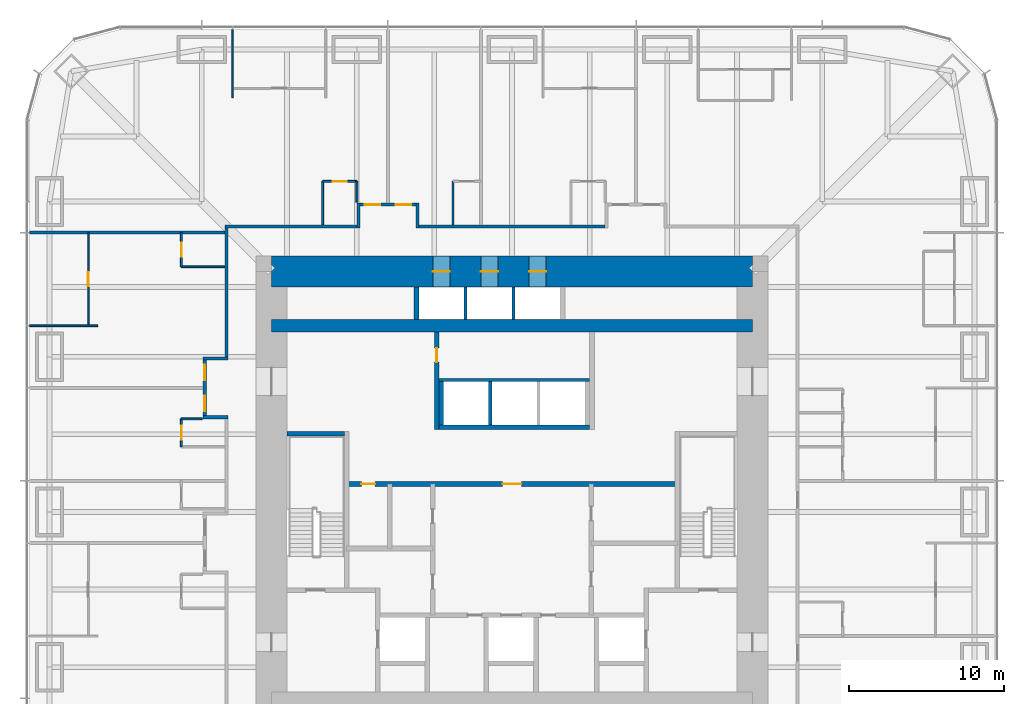
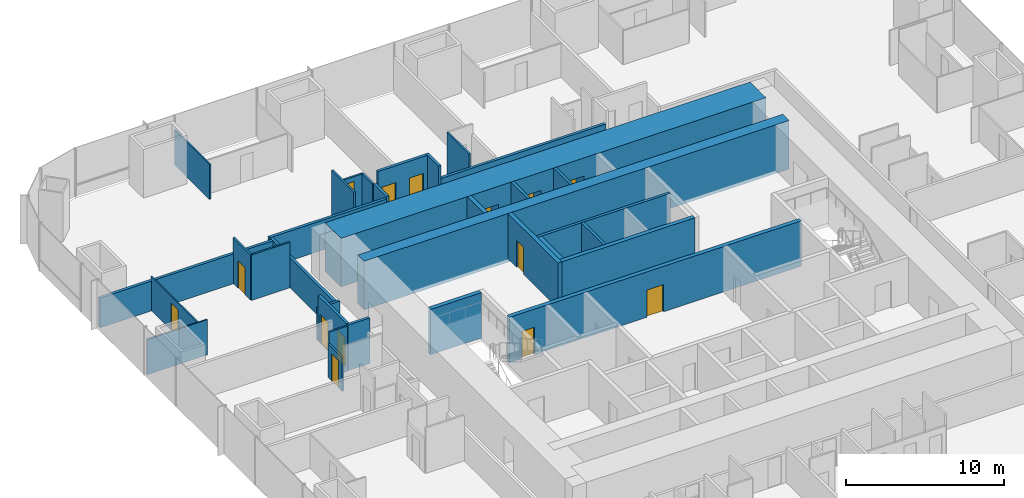
# One storey, part 14 of 17: 33 walls, 14 doors, 14 openings.
"""IFC4 building model written with IfcOpenShell, lengths in metres."""

from ifc_helpers import new_model, si_unit, direction, frame, frame_2d, origin, place, context, subcontext, project, spatial, rectangle, extrude, material, layer, layer_set, type_object, element, fill, save


model = new_model("IFC4")

# Units and contexts
model_context = context("Model", 3, precision=1e-05, world=origin(), true_north=direction((0.0, 1.0)))
body_context = subcontext(model_context, "Body", "Model", "MODEL_VIEW")
ifc_project = project(units=[si_unit("LENGTHUNIT", "METRE"), si_unit("AREAUNIT", "SQUARE_METRE"), si_unit("VOLUMEUNIT", "CUBIC_METRE"), si_unit("PLANEANGLEUNIT", "RADIAN"), si_unit("MASSUNIT", "GRAM", prefix="KILO")], contexts=[model_context])

# Site, building, storey
site_placement = place(None, origin())
site = spatial("IfcSite", under=ifc_project, at=site_placement, CompositionType="ELEMENT")
building_placement = place(site_placement, origin())
building = spatial("IfcBuilding", under=site, at=building_placement, Name="Khuree Lantern Residences", CompositionType="ELEMENT")
storey_placement = place(building_placement, frame((0.0, 0.0, 73.5)))
storey = spatial("IfcBuildingStorey", under=building, at=storey_placement, Name="L18", CompositionType="ELEMENT", Elevation=73.5)

# Wall
ifc_material_1 = material(Name="Moisture-resistant gypsum board on steel studs", Category="steel")
ifc_layer_1 = layer(ifc_material_1, 0.125)
ifc_layer_set_1 = layer_set([ifc_layer_1], Name="BATHROOM WALL BTW125")
wall_type_1 = type_object("IfcWallType", Name="BATHROOM WALL BTW125", PredefinedType="PARTITIONING", material=ifc_layer_set_1)
wall_1_placement = place(storey_placement, frame((-3.800048828125, 18.5, 0.0), z_axis=(0.0, 0.0, 1.0), x_axis=(0.0, 1.0, 0.0)))
element("IfcWall", 1, at=wall_1_placement, inside=storey, type_object=wall_type_1, Name="L18 BATHROOM WALL 04", PredefinedType="PARTITIONING", context=body_context, shape_type="SweptSolid", body=[
    extrude(rectangle(XDim=2.800048828125, YDim=0.125, at=frame_2d((1.39990234375, 0.0))), origin(), (0.0, 0.0, 1.0), 3.5),
])

# Wall, opening, door
wall_2_placement = place(storey_placement, frame((-10.0, 21.300048828125, 0.0), z_axis=(0.0, 0.0, 1.0), x_axis=(-1.0, 0.0, 0.0)))
wall_2 = element("IfcWall", 2, at=wall_2_placement, inside=storey, type_object=wall_type_1, Name="L18 BATHROOM WALL 05", PredefinedType="PARTITIONING", context=body_context, shape_type="SweptSolid", body=[
    extrude(rectangle(XDim=2.199951171875, YDim=0.125, at=frame_2d((1.10009765625, 0.0))), origin(), (0.0, 0.0, 1.0), 2.491943359375),
])
opening_1_placement = place(wall_2_placement, frame((0.64990234375, 0.0, 0.0)))
opening_1 = element("IfcOpeningElement", 3, at=opening_1_placement, cuts=wall_2, Name="Opening 18-040", PredefinedType="OPENING", context=body_context, shape_type="SweptSolid", body=[
    extrude(rectangle(XDim=0.89990234375, YDim=2.10009765625, at=frame_2d((0.449951171875, 1.050048828125))), frame((0.0, 0.072509765625, 0.0), z_axis=(0.0, -1.0, 0.0), x_axis=(1.0, 0.0, 0.0)), (0.0, 0.0, 1.0), 0.14501953125),
])
ifc_material_2 = material(Name="Timber door leaf in hardwood frame", Category="wood")
door_type_1 = type_object("IfcDoorType", Name="BATHROOM DOOR 900X2100", OperationType="SINGLE_SWING_LEFT", PredefinedType="DOOR", material=ifc_material_2)
door_1_placement = place(opening_1_placement, origin())
door_1 = element("IfcDoor", 4, at=door_1_placement, inside=storey, type_object=door_type_1, Name="Bathroom door 18-040", OperationType="SINGLE_SWING_LEFT", OverallHeight=2.10009765625, OverallWidth=0.89990234375, PredefinedType="DOOR", context=body_context, shape_type="SweptSolid", body=[
    extrude(rectangle(XDim=0.89990234375, YDim=2.10009765625, at=frame_2d((0.449951171875, 1.050048828125))), frame((0.0, 0.02490234375, 0.0), z_axis=(0.0, -1.0, 0.0), x_axis=(1.0, 0.0, 0.0)), (0.0, 0.0, 1.0), 0.050048828125),
])
fill(opening_1, door_1)

# Walls
wall_3_placement = place(storey_placement, frame((-10.0, 19.969970703125, 0.0), z_axis=(0.0, 0.0, 1.0), x_axis=(0.0, 1.0, 0.0)))
element("IfcWall", 5, at=wall_3_placement, inside=storey, type_object=wall_type_1, Name="L18 BATHROOM WALL 05", PredefinedType="PARTITIONING", context=body_context, shape_type="SweptSolid", body=[
    extrude(rectangle(XDim=1.330078125, YDim=0.125, at=frame_2d((0.6650390625, 0.0))), origin(), (0.0, 0.0, 1.0), 2.491943359375),
])
wall_4_placement = place(storey_placement, frame((-12.199951171875, 18.5, 0.0), z_axis=(0.0, 0.0, 1.0), x_axis=(0.0, 1.0, 0.0)))
element("IfcWall", 6, at=wall_4_placement, inside=storey, type_object=wall_type_1, Name="L18 BATHROOM WALL 05", PredefinedType="PARTITIONING", context=body_context, shape_type="SweptSolid", body=[
    extrude(rectangle(XDim=2.800048828125, YDim=0.125, at=frame_2d((1.39990234375, 0.0))), origin(), (0.0, 0.0, 1.0), 3.5),
])

# Wall, opening, door
wall_5_placement = place(storey_placement, frame((-21.300048828125, 18.0, 0.0), z_axis=(0.0, 0.0, 1.0), x_axis=(0.0, -1.0, 0.0)))
wall_5 = element("IfcWall", 7, at=wall_5_placement, inside=storey, type_object=wall_type_1, Name="L18 BATHROOM WALL 06", PredefinedType="PARTITIONING", context=body_context, shape_type="SweptSolid", body=[
    extrude(rectangle(XDim=2.199951171875, YDim=0.125, at=frame_2d((1.10009765625, 0.0))), origin(), (0.0, 0.0, 1.0), 3.5),
])
opening_2_placement = place(wall_5_placement, frame((0.64990234375, 0.0, 0.0)))
opening_2 = element("IfcOpeningElement", 8, at=opening_2_placement, cuts=wall_5, Name="Opening 18-043", PredefinedType="OPENING", context=body_context, shape_type="SweptSolid", body=[
    extrude(rectangle(XDim=0.89990234375, YDim=2.10009765625, at=frame_2d((0.449951171875, 1.050048828125))), frame((0.0, 0.072509765625, 0.0), z_axis=(0.0, -1.0, 0.0), x_axis=(1.0, 0.0, 0.0)), (0.0, 0.0, 1.0), 0.14501953125),
])
door_2_placement = place(opening_2_placement, origin())
door_2 = element("IfcDoor", 9, at=door_2_placement, inside=storey, type_object=door_type_1, Name="Bathroom door 18-043", OperationType="SINGLE_SWING_LEFT", OverallHeight=2.10009765625, OverallWidth=0.89990234375, PredefinedType="DOOR", context=body_context, shape_type="SweptSolid", body=[
    extrude(rectangle(XDim=0.89990234375, YDim=2.10009765625, at=frame_2d((0.449951171875, 1.050048828125))), frame((0.0, 0.02490234375, 0.0), z_axis=(0.0, -1.0, 0.0), x_axis=(1.0, 0.0, 0.0)), (0.0, 0.0, 1.0), 0.050048828125),
])
fill(opening_2, door_2)

# Wall
wall_6_placement = place(storey_placement, frame((-18.5, 15.800048828125, 0.0), z_axis=(0.0, 0.0, 1.0), x_axis=(-1.0, 0.0, 0.0)))
element("IfcWall", 10, at=wall_6_placement, inside=storey, type_object=wall_type_1, Name="L18 BATHROOM WALL 06", PredefinedType="PARTITIONING", context=body_context, shape_type="SweptSolid", body=[
    extrude(rectangle(XDim=2.800048828125, YDim=0.125, at=frame_2d((1.39990234375, 0.0))), origin(), (0.0, 0.0, 1.0), 3.5),
])

# Wall, opening, door
wall_7_placement = place(storey_placement, frame((-21.300048828125, 6.0, 0.0), z_axis=(0.0, 0.0, 1.0), x_axis=(0.0, -1.0, 0.0)))
wall_7 = element("IfcWall", 11, at=wall_7_placement, inside=storey, type_object=wall_type_1, Name="L18 BATHROOM WALL 07", PredefinedType="PARTITIONING", context=body_context, shape_type="SweptSolid", body=[
    extrude(rectangle(XDim=1.800048828125, YDim=0.125, at=frame_2d((0.89990234375, 0.0))), origin(), (0.0, 0.0, 1.0), 2.610107421875),
])
opening_3_placement = place(wall_7_placement, frame((0.449951171875, 0.0, 0.0)))
opening_3 = element("IfcOpeningElement", 12, at=opening_3_placement, cuts=wall_7, Name="Opening 18-045", PredefinedType="OPENING", context=body_context, shape_type="SweptSolid", body=[
    extrude(rectangle(XDim=0.89990234375, YDim=2.10009765625, at=frame_2d((0.449951171875, 1.050048828125))), frame((0.0, 0.072509765625, 0.0), z_axis=(0.0, -1.0, 0.0), x_axis=(1.0, 0.0, 0.0)), (0.0, 0.0, 1.0), 0.14501953125),
])
door_3_placement = place(opening_3_placement, origin())
door_3 = element("IfcDoor", 13, at=door_3_placement, inside=storey, type_object=door_type_1, Name="Bathroom door 18-045", OperationType="SINGLE_SWING_LEFT", OverallHeight=2.10009765625, OverallWidth=0.89990234375, PredefinedType="DOOR", context=body_context, shape_type="SweptSolid", body=[
    extrude(rectangle(XDim=0.89990234375, YDim=2.10009765625, at=frame_2d((0.449951171875, 1.050048828125))), frame((0.0, 0.02490234375, 0.0), z_axis=(0.0, -1.0, 0.0), x_axis=(1.0, 0.0, 0.0)), (0.0, 0.0, 1.0), 0.050048828125),
])
fill(opening_3, door_3)

# Walls
wall_8_placement = place(storey_placement, frame((-19.969970703125, 6.0, 0.0), z_axis=(0.0, 0.0, 1.0), x_axis=(-1.0, 0.0, 0.0)))
element("IfcWall", 14, at=wall_8_placement, inside=storey, type_object=wall_type_1, Name="L18 BATHROOM WALL 07", PredefinedType="PARTITIONING", context=body_context, shape_type="SweptSolid", body=[
    extrude(rectangle(XDim=1.330078125, YDim=0.125, at=frame_2d((0.6650390625, 0.0))), origin(), (0.0, 0.0, 1.0), 3.5),
])
ifc_material_3 = material(Name="Dense concrete blockwork", Category="masonry")
ifc_layer_2 = layer(ifc_material_3, 0.300048828125)
ifc_layer_set_2 = layer_set([ifc_layer_2], Name="CORE PARTITION WALL CPW300 EI 120")
wall_type_2 = type_object("IfcWallType", Name="CORE PARTITION WALL CPW300 EI 120", PredefinedType="PARTITIONING", material=ifc_layer_set_2)
wall_9_placement = place(storey_placement, frame((-4.699951171875, 5.449951171875, 0.0), z_axis=(0.0, 0.0, 1.0), x_axis=(1.0, 0.0, 0.0)))
element("IfcWall", 15, at=wall_9_placement, inside=storey, type_object=wall_type_2, Name="L18 CORE WALL PHS", PredefinedType="PARTITIONING", context=body_context, shape_type="SweptSolid", body=[
    extrude(rectangle(XDim=9.699951171875, YDim=0.300048828125, at=frame_2d((4.85009765625, 0.0))), origin(), (0.0, 0.0, 1.0), 3.5),
])
wall_10_placement = place(storey_placement, frame((-4.550048828125, 5.60009765625, 0.0), z_axis=(0.0, 0.0, 1.0), x_axis=(0.0, 1.0, 0.0)))
element("IfcWall", 16, at=wall_10_placement, inside=storey, type_object=wall_type_2, Name="L18 CORE WALL PHW", PredefinedType="PARTITIONING", context=body_context, shape_type="SweptSolid", body=[
    extrude(rectangle(XDim=2.7998046875, YDim=0.300048828125, at=frame_2d((1.39990234375, 0.0))), origin(), (0.0, 0.0, 1.0), 3.5),
])
wall_11_placement = place(storey_placement, frame((-6.14990234375, 12.39990234375, 0.0), z_axis=(0.0, 0.0, 1.0), x_axis=(0.0, 1.0, 0.0)))
element("IfcWall", 17, at=wall_11_placement, inside=storey, type_object=wall_type_2, Name="L18 CORE WALL PLW", PredefinedType="PARTITIONING", context=body_context, shape_type="SweptSolid", body=[
    extrude(rectangle(XDim=2.10009765625, YDim=0.300048828125, at=frame_2d((1.050048828125, 0.0))), origin(), (0.0, 0.0, 1.0), 3.5),
])

# Wall, openings, doors
wall_12_placement = place(storey_placement, frame((-10.64990234375, 1.800048828125, 0.0), z_axis=(0.0, 0.0, 1.0), x_axis=(1.0, 0.0, 0.0)))
wall_12 = element("IfcWall", 18, at=wall_12_placement, inside=storey, type_object=wall_type_2, Name="L18 CORE WALL LLS", PredefinedType="PARTITIONING", context=body_context, shape_type="SweptSolid", body=[
    extrude(rectangle(XDim=21.2998046875, YDim=0.300048828125, at=frame_2d((10.64990234375, 0.0))), origin(), (0.0, 0.0, 1.0), 3.5),
])
opening_4_placement = place(wall_12_placement, frame((10.050048828125, 0.0, 0.0)))
opening_4 = element("IfcOpeningElement", 19, at=opening_4_placement, cuts=wall_12, Name="Opening 18-013", PredefinedType="OPENING", context=body_context, shape_type="SweptSolid", body=[
    extrude(rectangle(XDim=1.199951171875, YDim=2.10009765625, at=frame_2d((0.60009765625, 1.050048828125))), frame((0.0, 0.16015625, 0.0), z_axis=(0.0, -1.0, 0.0), x_axis=(1.0, 0.0, 0.0)), (0.0, 0.0, 1.0), 0.320068359375),
])
opening_5_placement = place(wall_12_placement, frame((0.93798828125, 0.0, 0.0)))
opening_5 = element("IfcOpeningElement", 20, at=opening_5_placement, cuts=wall_12, Name="Opening 18-018", PredefinedType="OPENING", context=body_context, shape_type="SweptSolid", body=[
    extrude(rectangle(XDim=0.89990234375, YDim=2.10009765625, at=frame_2d((0.449951171875, 1.050048828125))), frame((0.0, 0.16015625, 0.0), z_axis=(0.0, -1.0, 0.0), x_axis=(1.0, 0.0, 0.0)), (0.0, 0.0, 1.0), 0.320068359375),
])
ifc_material_4 = material(Name="Steel door leaf in steel frame", Category="steel")
door_type_2 = type_object("IfcDoorType", Name="DOOR 1200X2100 EI 60", OperationType="SINGLE_SWING_LEFT", PredefinedType="DOOR", material=ifc_material_4)
door_4_placement = place(opening_4_placement, origin())
door_4 = element("IfcDoor", 21, at=door_4_placement, inside=storey, type_object=door_type_2, Name="Service lift lobby door 18-013", OperationType="SINGLE_SWING_LEFT", OverallHeight=2.10009765625, OverallWidth=1.199951171875, PredefinedType="DOOR", context=body_context, shape_type="SweptSolid", body=[
    extrude(rectangle(XDim=1.199951171875, YDim=2.10009765625, at=frame_2d((0.60009765625, 1.050048828125))), frame((0.0, 0.02490234375, 0.0), z_axis=(0.0, -1.0, 0.0), x_axis=(1.0, 0.0, 0.0)), (0.0, 0.0, 1.0), 0.050048828125),
])
fill(opening_4, door_4)
door_type_3 = type_object("IfcDoorType", Name="DOOR 900X2100", OperationType="SINGLE_SWING_LEFT", PredefinedType="DOOR", material=ifc_material_2)
door_5_placement = place(opening_5_placement, origin())
door_5 = element("IfcDoor", 22, at=door_5_placement, inside=storey, type_object=door_type_3, Name="Building management room door 18-018", OperationType="SINGLE_SWING_LEFT", OverallHeight=2.10009765625, OverallWidth=0.89990234375, PredefinedType="DOOR", context=body_context, shape_type="SweptSolid", body=[
    extrude(rectangle(XDim=0.89990234375, YDim=2.10009765625, at=frame_2d((0.449951171875, 1.050048828125))), frame((0.0, 0.02490234375, 0.0), z_axis=(0.0, -1.0, 0.0), x_axis=(1.0, 0.0, 0.0)), (0.0, 0.0, 1.0), 0.050048828125),
])
fill(opening_5, door_5)

# Wall, opening, door
wall_13_placement = place(storey_placement, frame((-4.85009765625, 5.300048828125, 0.0), z_axis=(0.0, 0.0, 1.0), x_axis=(0.0, 1.0, 0.0)))
wall_13 = element("IfcWall", 23, at=wall_13_placement, inside=storey, type_object=wall_type_2, Name="L18 CORE WALL NW", PredefinedType="PARTITIONING", context=body_context, shape_type="SweptSolid", body=[
    extrude(rectangle(XDim=6.300048828125, YDim=0.300048828125, at=frame_2d((3.14990234375, 0.0))), origin(), (0.0, 0.0, 1.0), 3.5),
])
opening_6_placement = place(wall_13_placement, frame((4.35009765625, 0.0, 0.0)))
opening_6 = element("IfcOpeningElement", 24, at=opening_6_placement, cuts=wall_13, Name="Opening 18-021", PredefinedType="OPENING", context=body_context, shape_type="SweptSolid", body=[
    extrude(rectangle(XDim=0.89990234375, YDim=2.10009765625, at=frame_2d((0.449951171875, 1.050048828125))), frame((0.0, 0.16015625, 0.0), z_axis=(0.0, -1.0, 0.0), x_axis=(1.0, 0.0, 0.0)), (0.0, 0.0, 1.0), 0.320068359375),
])
door_type_4 = type_object("IfcDoorType", Name="DOOR 900X2100 RIGHT HAND", OperationType="SINGLE_SWING_RIGHT", PredefinedType="DOOR", material=ifc_material_2)
door_6_placement = place(opening_6_placement, origin())
door_6 = element("IfcDoor", 25, at=door_6_placement, inside=storey, type_object=door_type_4, Name="Residents' store door 18-021", OperationType="SINGLE_SWING_RIGHT", OverallHeight=2.10009765625, OverallWidth=0.89990234375, PredefinedType="DOOR", context=body_context, shape_type="SweptSolid", body=[
    extrude(rectangle(XDim=0.89990234375, YDim=2.10009765625, at=frame_2d((0.449951171875, 1.050048828125))), frame((0.0, 0.02490234375, 0.0), z_axis=(0.0, -1.0, 0.0), x_axis=(1.0, 0.0, 0.0)), (0.0, 0.0, 1.0), 0.050048828125),
])
fill(opening_6, door_6)

# Walls
ifc_material_5 = material(Name="Gypsum board on steel studs", Category="steel")
ifc_layer_3 = layer(ifc_material_5, 0.199951171875)
ifc_layer_set_3 = layer_set([ifc_layer_3], Name="CORRIDOR WALL CRW200 EI 60")
wall_type_3 = type_object("IfcWallType", Name="CORRIDOR WALL CRW200 EI 60", PredefinedType="PARTITIONING", material=ifc_layer_set_3)
wall_14_placement = place(storey_placement, frame((-18.5, 18.39990234375, 0.0), z_axis=(0.0, 0.0, 1.0), x_axis=(1.0, 0.0, 0.0)))
element("IfcWall", 26, at=wall_14_placement, inside=storey, type_object=wall_type_3, Name="L18 CORRIDOR WALL NORTH 1", PredefinedType="PARTITIONING", context=body_context, shape_type="SweptSolid", body=[
    extrude(rectangle(XDim=8.5, YDim=0.199951171875, at=frame_2d((4.25, 0.0))), origin(), (0.0, 0.0, 1.0), 2.300048828125),
])
wall_15_placement = place(storey_placement, frame((-9.89990234375, 18.300048828125, 0.0), z_axis=(0.0, 0.0, 1.0), x_axis=(0.0, 1.0, 0.0)))
element("IfcWall", 27, at=wall_15_placement, inside=storey, type_object=wall_type_3, Name="L18 CORRIDOR ALCOVE WALL NORTH", PredefinedType="PARTITIONING", context=body_context, shape_type="SweptSolid", body=[
    extrude(rectangle(XDim=1.599853515625, YDim=0.199951171875, at=frame_2d((0.7998046875, 0.0))), origin(), (0.0, 0.0, 1.0), 2.491943359375),
])
wall_16_placement = place(storey_placement, frame((-6.10009765625, 18.300048828125, 0.0), z_axis=(0.0, 0.0, 1.0), x_axis=(0.0, 1.0, 0.0)))
element("IfcWall", 28, at=wall_16_placement, inside=storey, type_object=wall_type_3, Name="L18 CORRIDOR ALCOVE WALL NORTH", PredefinedType="PARTITIONING", context=body_context, shape_type="SweptSolid", body=[
    extrude(rectangle(XDim=1.599853515625, YDim=0.199951171875, at=frame_2d((0.7998046875, 0.0))), origin(), (0.0, 0.0, 1.0), 3.5),
])

# Wall, openings, doors
wall_17_placement = place(storey_placement, frame((-9.800048828125, 19.800048828125, 0.0), z_axis=(0.0, 0.0, 1.0), x_axis=(1.0, 0.0, 0.0)))
wall_17 = element("IfcWall", 29, at=wall_17_placement, inside=storey, type_object=wall_type_3, Name="L18 CORRIDOR ALCOVE WALL NORTH", PredefinedType="PARTITIONING", context=body_context, shape_type="SweptSolid", body=[
    extrude(rectangle(XDim=3.60009765625, YDim=0.199951171875, at=frame_2d((1.800048828125, 0.0))), origin(), (0.0, 0.0, 1.0), 3.5),
])
opening_7_placement = place(wall_17_placement, frame((2.300048828125, 0.0, 0.0)))
opening_7 = element("IfcOpeningElement", 30, at=opening_7_placement, cuts=wall_17, Name="Opening 18-038", PredefinedType="OPENING", context=body_context, shape_type="SweptSolid", body=[
    extrude(rectangle(XDim=1.0, YDim=2.199951171875, at=frame_2d((0.5, 1.10009765625))), frame((0.0, 0.10986328125, 0.0), z_axis=(0.0, -1.0, 0.0), x_axis=(1.0, 0.0, 0.0)), (0.0, 0.0, 1.0), 0.219970703125),
])
opening_8_placement = place(wall_17_placement, frame((0.300048828125, 0.0, 0.0)))
opening_8 = element("IfcOpeningElement", 31, at=opening_8_placement, cuts=wall_17, Name="Opening 18-041", PredefinedType="OPENING", context=body_context, shape_type="SweptSolid", body=[
    extrude(rectangle(XDim=1.0, YDim=2.199951171875, at=frame_2d((0.5, 1.10009765625))), frame((0.0, 0.10986328125, 0.0), z_axis=(0.0, -1.0, 0.0), x_axis=(1.0, 0.0, 0.0)), (0.0, 0.0, 1.0), 0.219970703125),
])
door_type_5 = type_object("IfcDoorType", Name="APARTMENT ENTRANCE DOOR 1000X2200 EI 30S", OperationType="SINGLE_SWING_LEFT", PredefinedType="DOOR", material=ifc_material_2)
door_7_placement = place(opening_7_placement, origin())
door_7 = element("IfcDoor", 32, at=door_7_placement, inside=storey, type_object=door_type_5, Name="Apartment 04 entrance door 18-038", OperationType="SINGLE_SWING_LEFT", OverallHeight=2.199951171875, OverallWidth=1.0, PredefinedType="DOOR", context=body_context, shape_type="SweptSolid", body=[
    extrude(rectangle(XDim=1.0, YDim=2.199951171875, at=frame_2d((0.5, 1.10009765625))), frame((0.0, 0.02490234375, 0.0), z_axis=(0.0, -1.0, 0.0), x_axis=(1.0, 0.0, 0.0)), (0.0, 0.0, 1.0), 0.050048828125),
])
fill(opening_7, door_7)
door_8_placement = place(opening_8_placement, origin())
door_8 = element("IfcDoor", 33, at=door_8_placement, inside=storey, type_object=door_type_5, Name="Apartment 05 entrance door 18-041", OperationType="SINGLE_SWING_LEFT", OverallHeight=2.199951171875, OverallWidth=1.0, PredefinedType="DOOR", context=body_context, shape_type="SweptSolid", body=[
    extrude(rectangle(XDim=1.0, YDim=2.199951171875, at=frame_2d((0.5, 1.10009765625))), frame((0.0, 0.02490234375, 0.0), z_axis=(0.0, -1.0, 0.0), x_axis=(1.0, 0.0, 0.0)), (0.0, 0.0, 1.0), 0.050048828125),
])
fill(opening_8, door_8)

# Walls
wall_18_placement = place(storey_placement, frame((-6.0, 18.39990234375, 0.0), z_axis=(0.0, 0.0, 1.0), x_axis=(1.0, 0.0, 0.0)))
element("IfcWall", 34, at=wall_18_placement, inside=storey, type_object=wall_type_3, Name="L18 CORRIDOR WALL NORTH 2", PredefinedType="PARTITIONING", context=body_context, shape_type="SweptSolid", body=[
    extrude(rectangle(XDim=12.0, YDim=0.199951171875, at=frame_2d((6.0, 0.0))), origin(), (0.0, 0.0, 1.0), 2.491943359375),
])
wall_19_placement = place(storey_placement, frame((-18.39990234375, 18.300048828125, 0.0), z_axis=(0.0, 0.0, 1.0), x_axis=(0.0, -1.0, 0.0)))
element("IfcWall", 35, at=wall_19_placement, inside=storey, type_object=wall_type_3, Name="L18 CORRIDOR WALL WEST 1", PredefinedType="PARTITIONING", context=body_context, shape_type="SweptSolid", body=[
    extrude(rectangle(XDim=8.300048828125, YDim=0.199951171875, at=frame_2d((4.14990234375, 0.0))), origin(), (0.0, 0.0, 1.0), 2.300048828125),
])
wall_20_placement = place(storey_placement, frame((-18.300048828125, 9.89990234375, 0.0), z_axis=(0.0, 0.0, 1.0), x_axis=(-1.0, 0.0, 0.0)))
element("IfcWall", 36, at=wall_20_placement, inside=storey, type_object=wall_type_3, Name="L18 CORRIDOR ALCOVE WALL WEST", PredefinedType="PARTITIONING", context=body_context, shape_type="SweptSolid", body=[
    extrude(rectangle(XDim=1.599853515625, YDim=0.199951171875, at=frame_2d((0.7998046875, 0.0))), origin(), (0.0, 0.0, 1.0), 2.491943359375),
])
wall_21_placement = place(storey_placement, frame((-18.300048828125, 6.10009765625, 0.0), z_axis=(0.0, 0.0, 1.0), x_axis=(-1.0, 0.0, 0.0)))
element("IfcWall", 37, at=wall_21_placement, inside=storey, type_object=wall_type_3, Name="L18 CORRIDOR ALCOVE WALL WEST", PredefinedType="PARTITIONING", context=body_context, shape_type="SweptSolid", body=[
    extrude(rectangle(XDim=1.599853515625, YDim=0.199951171875, at=frame_2d((0.7998046875, 0.0))), origin(), (0.0, 0.0, 1.0), 3.5),
])

# Wall, openings, doors
wall_22_placement = place(storey_placement, frame((-19.800048828125, 9.800048828125, 0.0), z_axis=(0.0, 0.0, 1.0), x_axis=(0.0, -1.0, 0.0)))
wall_22 = element("IfcWall", 38, at=wall_22_placement, inside=storey, type_object=wall_type_3, Name="L18 CORRIDOR ALCOVE WALL WEST", PredefinedType="PARTITIONING", context=body_context, shape_type="SweptSolid", body=[
    extrude(rectangle(XDim=3.60009765625, YDim=0.199951171875, at=frame_2d((1.800048828125, 0.0))), origin(), (0.0, 0.0, 1.0), 3.5),
])
opening_9_placement = place(wall_22_placement, frame((0.300048828125, 0.0, 0.0)))
opening_9 = element("IfcOpeningElement", 39, at=opening_9_placement, cuts=wall_22, Name="Opening 18-044", PredefinedType="OPENING", context=body_context, shape_type="SweptSolid", body=[
    extrude(rectangle(XDim=1.0, YDim=2.199951171875, at=frame_2d((0.5, 1.10009765625))), frame((0.0, 0.10986328125, 0.0), z_axis=(0.0, -1.0, 0.0), x_axis=(1.0, 0.0, 0.0)), (0.0, 0.0, 1.0), 0.219970703125),
])
opening_10_placement = place(wall_22_placement, frame((2.300048828125, 0.0, 0.0)))
opening_10 = element("IfcOpeningElement", 40, at=opening_10_placement, cuts=wall_22, Name="Opening 18-046", PredefinedType="OPENING", context=body_context, shape_type="SweptSolid", body=[
    extrude(rectangle(XDim=1.0, YDim=2.199951171875, at=frame_2d((0.5, 1.10009765625))), frame((0.0, 0.10986328125, 0.0), z_axis=(0.0, -1.0, 0.0), x_axis=(1.0, 0.0, 0.0)), (0.0, 0.0, 1.0), 0.219970703125),
])
door_9_placement = place(opening_9_placement, origin())
door_9 = element("IfcDoor", 41, at=door_9_placement, inside=storey, type_object=door_type_5, Name="Apartment 06 entrance door 18-044", OperationType="SINGLE_SWING_LEFT", OverallHeight=2.199951171875, OverallWidth=1.0, PredefinedType="DOOR", context=body_context, shape_type="SweptSolid", body=[
    extrude(rectangle(XDim=1.0, YDim=2.199951171875, at=frame_2d((0.5, 1.10009765625))), frame((0.0, 0.02490234375, 0.0), z_axis=(0.0, -1.0, 0.0), x_axis=(1.0, 0.0, 0.0)), (0.0, 0.0, 1.0), 0.050048828125),
])
fill(opening_9, door_9)
door_type_6 = type_object("IfcDoorType", Name="APARTMENT ENTRANCE DOOR 1000X2200 EI 30S RIGHT HAND", OperationType="SINGLE_SWING_RIGHT", PredefinedType="DOOR", material=ifc_material_2)
door_10_placement = place(opening_10_placement, origin())
door_10 = element("IfcDoor", 42, at=door_10_placement, inside=storey, type_object=door_type_6, Name="Apartment 07 entrance door 18-046", OperationType="SINGLE_SWING_RIGHT", OverallHeight=2.199951171875, OverallWidth=1.0, PredefinedType="DOOR", context=body_context, shape_type="SweptSolid", body=[
    extrude(rectangle(XDim=1.0, YDim=2.199951171875, at=frame_2d((0.5, 1.10009765625))), frame((0.0, 0.02490234375, 0.0), z_axis=(0.0, -1.0, 0.0), x_axis=(1.0, 0.0, 0.0)), (0.0, 0.0, 1.0), 0.050048828125),
])
fill(opening_10, door_10)

ifc_material_6 = material(Name="Concrete C70/85", Category="concrete")
ifc_layer_4 = layer(ifc_material_6, 2.0)
ifc_layer_set_4 = layer_set([ifc_layer_4], Name="CW2000-C70 CORE WALL C70 2000")
wall_type_4 = type_object("IfcWallType", Name="CW2000-C70 CORE WALL C70 2000", PredefinedType="SHEAR", material=ifc_layer_set_4)
wall_23_placement = place(storey_placement, frame((-15.5, 15.5, -0.25), z_axis=(0.0, 0.0, 1.0), x_axis=(1.0, 0.0, 0.0)))
wall_23 = element("IfcWall", 43, at=wall_23_placement, inside=storey, type_object=wall_type_4, Name="Core wall N", PredefinedType="SHEAR", context=body_context, shape_type="SweptSolid", body=[
    extrude(rectangle(XDim=31.0, YDim=2.0, at=frame_2d((15.5, 0.0))), origin(), (0.0, 0.0, 1.0), 3.75),
])
opening_11_placement = place(wall_23_placement, frame((10.39990234375, 0.0, 0.25)))
opening_11 = element("IfcOpeningElement", 44, at=opening_11_placement, cuts=wall_23, Name="Opening 18-009", PredefinedType="OPENING", context=body_context, shape_type="SweptSolid", body=[
    extrude(rectangle(XDim=1.10009765625, YDim=2.10009765625, at=frame_2d((0.550048828125, 1.050048828125))), frame((0.0, 1.010009765625, 0.0), z_axis=(0.0, -1.0, 0.0), x_axis=(1.0, 0.0, 0.0)), (0.0, 0.0, 1.0), 2.02001953125),
])
opening_12_placement = place(wall_23_placement, frame((13.5, 0.0, 0.25)))
opening_12 = element("IfcOpeningElement", 45, at=opening_12_placement, cuts=wall_23, Name="Opening 18-010", PredefinedType="OPENING", context=body_context, shape_type="SweptSolid", body=[
    extrude(rectangle(XDim=1.10009765625, YDim=2.10009765625, at=frame_2d((0.550048828125, 1.050048828125))), frame((0.0, 1.010009765625, 0.0), z_axis=(0.0, -1.0, 0.0), x_axis=(1.0, 0.0, 0.0)), (0.0, 0.0, 1.0), 2.02001953125),
])
opening_13_placement = place(wall_23_placement, frame((16.60009765625, 0.0, 0.25)))
opening_13 = element("IfcOpeningElement", 46, at=opening_13_placement, cuts=wall_23, Name="Opening 18-011", PredefinedType="OPENING", context=body_context, shape_type="SweptSolid", body=[
    extrude(rectangle(XDim=1.10009765625, YDim=2.10009765625, at=frame_2d((0.550048828125, 1.050048828125))), frame((0.0, 1.010009765625, 0.0), z_axis=(0.0, -1.0, 0.0), x_axis=(1.0, 0.0, 0.0)), (0.0, 0.0, 1.0), 2.02001953125),
])
ifc_material_7 = material(Name="Stainless steel lift landing door", Category="steel")
door_type_7 = type_object("IfcDoorType", Name="LIFT LANDING DOOR 1100X2100 E 60", OperationType="DOUBLE_DOOR_SLIDING", PredefinedType="DOOR", material=ifc_material_7)
door_11_placement = place(opening_11_placement, origin())
door_11 = element("IfcDoor", 47, at=door_11_placement, inside=storey, type_object=door_type_7, Name="Landing door PL1 18-009", OperationType="DOUBLE_DOOR_SLIDING", OverallHeight=2.10009765625, OverallWidth=1.10009765625, PredefinedType="DOOR", context=body_context, shape_type="SweptSolid", body=[
    extrude(rectangle(XDim=1.10009765625, YDim=2.10009765625, at=frame_2d((0.550048828125, 1.050048828125))), frame((0.0, 0.02490234375, 0.0), z_axis=(0.0, -1.0, 0.0), x_axis=(1.0, 0.0, 0.0)), (0.0, 0.0, 1.0), 0.050048828125),
])
fill(opening_11, door_11)
door_12_placement = place(opening_12_placement, origin())
door_12 = element("IfcDoor", 48, at=door_12_placement, inside=storey, type_object=door_type_7, Name="Landing door PL2 18-010", OperationType="DOUBLE_DOOR_SLIDING", OverallHeight=2.10009765625, OverallWidth=1.10009765625, PredefinedType="DOOR", context=body_context, shape_type="SweptSolid", body=[
    extrude(rectangle(XDim=1.10009765625, YDim=2.10009765625, at=frame_2d((0.550048828125, 1.050048828125))), frame((0.0, 0.02490234375, 0.0), z_axis=(0.0, -1.0, 0.0), x_axis=(1.0, 0.0, 0.0)), (0.0, 0.0, 1.0), 0.050048828125),
])
fill(opening_12, door_12)
door_13_placement = place(opening_13_placement, origin())
door_13 = element("IfcDoor", 49, at=door_13_placement, inside=storey, type_object=door_type_7, Name="Landing door PL3 18-011", OperationType="DOUBLE_DOOR_SLIDING", OverallHeight=2.10009765625, OverallWidth=1.10009765625, PredefinedType="DOOR", context=body_context, shape_type="SweptSolid", body=[
    extrude(rectangle(XDim=1.10009765625, YDim=2.10009765625, at=frame_2d((0.550048828125, 1.050048828125))), frame((0.0, 0.02490234375, 0.0), z_axis=(0.0, -1.0, 0.0), x_axis=(1.0, 0.0, 0.0)), (0.0, 0.0, 1.0), 0.050048828125),
])
fill(opening_13, door_13)

# Walls
ifc_layer_5 = layer(ifc_material_5, 0.199951171875)
ifc_layer_set_5 = layer_set([ifc_layer_5], Name="DEMISING WALL DMW200 EI 90")
wall_type_5 = type_object("IfcWallType", Name="DEMISING WALL DMW200 EI 90", PredefinedType="PARTITIONING", material=ifc_layer_set_5)
wall_24_placement = place(storey_placement, frame((-18.5, 18.0, 0.0), z_axis=(0.0, 0.0, 1.0), x_axis=(-1.0, 0.0, 0.0)))
element("IfcWall", 50, at=wall_24_placement, inside=storey, type_object=wall_type_5, Name="L18 DEMISING WALL 06", PredefinedType="PARTITIONING", context=body_context, shape_type="SweptSolid", body=[
    extrude(rectangle(XDim=12.60009765625, YDim=0.199951171875, at=frame_2d((6.300048828125, 0.0))), origin(), (0.0, 0.0, 1.0), 2.300048828125),
])
ifc_layer_6 = layer(ifc_material_5, 0.10009765625)
ifc_layer_set_6 = layer_set([ifc_layer_6], Name="PARTITION PT100")
wall_type_6 = type_object("IfcWallType", Name="PARTITION PT100", PredefinedType="PARTITIONING", material=ifc_layer_set_6)
for number, where, z_axis, x_axis, name in (
    (51, (-18.0, 26.699951171875, 0.0), (0.0, 0.0, 1.0), (0.0, 1.0, 0.0), "L18 PARTITION 05"),
    (52, (-26.699951171875, 12.0, 0.0), (0.0, 0.0, 1.0), (-1.0, 0.0, 0.0), "L18 PARTITION 06"),
):
    element("IfcWall", number, at=place(storey_placement, frame(where, z_axis=z_axis, x_axis=x_axis)), inside=storey, type_object=wall_type_6, Name=name, PredefinedType="PARTITIONING", context=body_context, shape_type="SweptSolid", body=[
        extrude(rectangle(XDim=4.400146484375, YDim=0.10009765625, at=frame_2d((2.2001953125, 0.0))), origin(), (0.0, 0.0, 1.0), 2.7099609375),
    ])

# Wall, opening, door
wall_25_placement = place(storey_placement, frame((-27.300048828125, 18.0, 0.0), z_axis=(0.0, 0.0, 1.0), x_axis=(0.0, -1.0, 0.0)))
wall_25 = element("IfcWall", 53, at=wall_25_placement, inside=storey, type_object=wall_type_6, Name="L18 PARTITION 06", PredefinedType="PARTITIONING", context=body_context, shape_type="SweptSolid", body=[
    extrude(rectangle(XDim=6.0, YDim=0.10009765625, at=frame_2d((3.0, 0.0))), origin(), (0.0, 0.0, 1.0), 2.610107421875),
])
opening_14_placement = place(wall_25_placement, frame((2.550048828125, 0.0, 0.0)))
opening_14 = element("IfcOpeningElement", 54, at=opening_14_placement, cuts=wall_25, Name="Opening 18-042", PredefinedType="OPENING", context=body_context, shape_type="SweptSolid", body=[
    extrude(rectangle(XDim=0.89990234375, YDim=2.10009765625, at=frame_2d((0.449951171875, 1.050048828125))), frame((0.0, 0.06005859375, 0.0), z_axis=(0.0, -1.0, 0.0), x_axis=(1.0, 0.0, 0.0)), (0.0, 0.0, 1.0), 0.1201171875),
])
door_type_8 = type_object("IfcDoorType", Name="BEDROOM DOOR 900X2100", OperationType="SINGLE_SWING_LEFT", PredefinedType="DOOR", material=ifc_material_2)
door_14_placement = place(opening_14_placement, origin())
door_14 = element("IfcDoor", 55, at=door_14_placement, inside=storey, type_object=door_type_8, Name="Bedroom door 18-042", OperationType="SINGLE_SWING_LEFT", OverallHeight=2.10009765625, OverallWidth=0.89990234375, PredefinedType="DOOR", context=body_context, shape_type="SweptSolid", body=[
    extrude(rectangle(XDim=0.89990234375, YDim=2.10009765625, at=frame_2d((0.449951171875, 1.050048828125))), frame((0.0, 0.02490234375, 0.0), z_axis=(0.0, -1.0, 0.0), x_axis=(1.0, 0.0, 0.0)), (0.0, 0.0, 1.0), 0.050048828125),
])
fill(opening_14, door_14)

# Walls
ifc_layer_7 = layer(ifc_material_3, 0.199951171875)
ifc_layer_set_7 = layer_set([ifc_layer_7], Name="SHAFT WALL SHW200 EI 120")
wall_type_7 = type_object("IfcWallType", Name="SHAFT WALL SHW200 EI 120", PredefinedType="PARTITIONING", material=ifc_layer_set_7)
wall_26_placement = place(storey_placement, frame((-4.699951171875, 8.5, 0.0), z_axis=(0.0, 0.0, 1.0), x_axis=(1.0, 0.0, 0.0)))
element("IfcWall", 56, at=wall_26_placement, inside=storey, type_object=wall_type_7, Name="L18 CORE WALL PHN", PredefinedType="PARTITIONING", context=body_context, shape_type="SweptSolid", body=[
    extrude(rectangle(XDim=9.699951171875, YDim=0.199951171875, at=frame_2d((4.85009765625, 0.0))), origin(), (0.0, 0.0, 1.0), 3.5),
])
wall_27_placement = place(storey_placement, frame((-1.39990234375, 5.60009765625, 0.0), z_axis=(0.0, 0.0, 1.0), x_axis=(0.0, 1.0, 0.0)))
element("IfcWall", 57, at=wall_27_placement, inside=storey, type_object=wall_type_7, Name="L18 CORE WALL PHD1", PredefinedType="PARTITIONING", context=body_context, shape_type="SweptSolid", body=[
    extrude(rectangle(XDim=2.7998046875, YDim=0.199951171875, at=frame_2d((1.39990234375, 0.0))), origin(), (0.0, 0.0, 1.0), 3.5),
])
for number, where, z_axis, x_axis, name in (
    (58, (-3.0, 12.39990234375, 0.0), (0.0, 0.0, 1.0), (0.0, 1.0, 0.0), "L18 CORE WALL PLD1"),
    (59, (0.10009765625, 12.39990234375, 0.0), (0.0, 0.0, 1.0), (0.0, 1.0, 0.0), "L18 CORE WALL PLD2"),
):
    element("IfcWall", number, at=place(storey_placement, frame(where, z_axis=z_axis, x_axis=x_axis)), inside=storey, type_object=wall_type_7, Name=name, PredefinedType="PARTITIONING", context=body_context, shape_type="SweptSolid", body=[
        extrude(rectangle(XDim=2.10009765625, YDim=0.199951171875, at=frame_2d((1.050048828125, 0.0))), origin(), (0.0, 0.0, 1.0), 3.5),
    ])
ifc_layer_8 = layer(ifc_material_6, 0.800048828125)
ifc_layer_set_8 = layer_set([ifc_layer_8], Name="SP800-C70 CORE SPINE WALL C70 800")
wall_type_8 = type_object("IfcWallType", Name="SP800-C70 CORE SPINE WALL C70 800", PredefinedType="SHEAR", material=ifc_layer_set_8)
wall_28_placement = place(storey_placement, frame((-15.5, 12.0, -0.25), z_axis=(0.0, 0.0, 1.0), x_axis=(1.0, 0.0, 0.0)))
element("IfcWall", 60, at=wall_28_placement, inside=storey, type_object=wall_type_8, Name="Core wall SPN", PredefinedType="SHEAR", context=body_context, shape_type="SweptSolid", body=[
    extrude(rectangle(XDim=31.0, YDim=0.800048828125, at=frame_2d((15.5, 0.0))), origin(), (0.0, 0.0, 1.0), 3.75),
])
ifc_material_8 = material(Name="Concrete C50/60", Category="concrete")
ifc_layer_9 = layer(ifc_material_8, 0.300048828125)
ifc_layer_set_9 = layer_set([ifc_layer_9], Name="STAIR WALL SRW300 C50/60 REI 240")
wall_type_9 = type_object("IfcWallType", Name="STAIR WALL SRW300 C50/60 REI 240", PredefinedType="SOLIDWALL", material=ifc_layer_set_9)
wall_29_placement = place(storey_placement, frame((-14.5, 5.050048828125, 0.0), z_axis=(0.0, 0.0, 1.0), x_axis=(1.0, 0.0, 0.0)))
element("IfcWall", 61, at=wall_29_placement, inside=storey, type_object=wall_type_9, Name="L18 STAIR WALL ST1N", PredefinedType="SOLIDWALL", context=body_context, shape_type="SweptSolid", body=[
    extrude(rectangle(XDim=3.699951171875, YDim=0.300048828125, at=frame_2d((1.85009765625, 0.0))), origin(), (0.0, 0.0, 1.0), 3.5),
])

save(model, "model.ifc")
